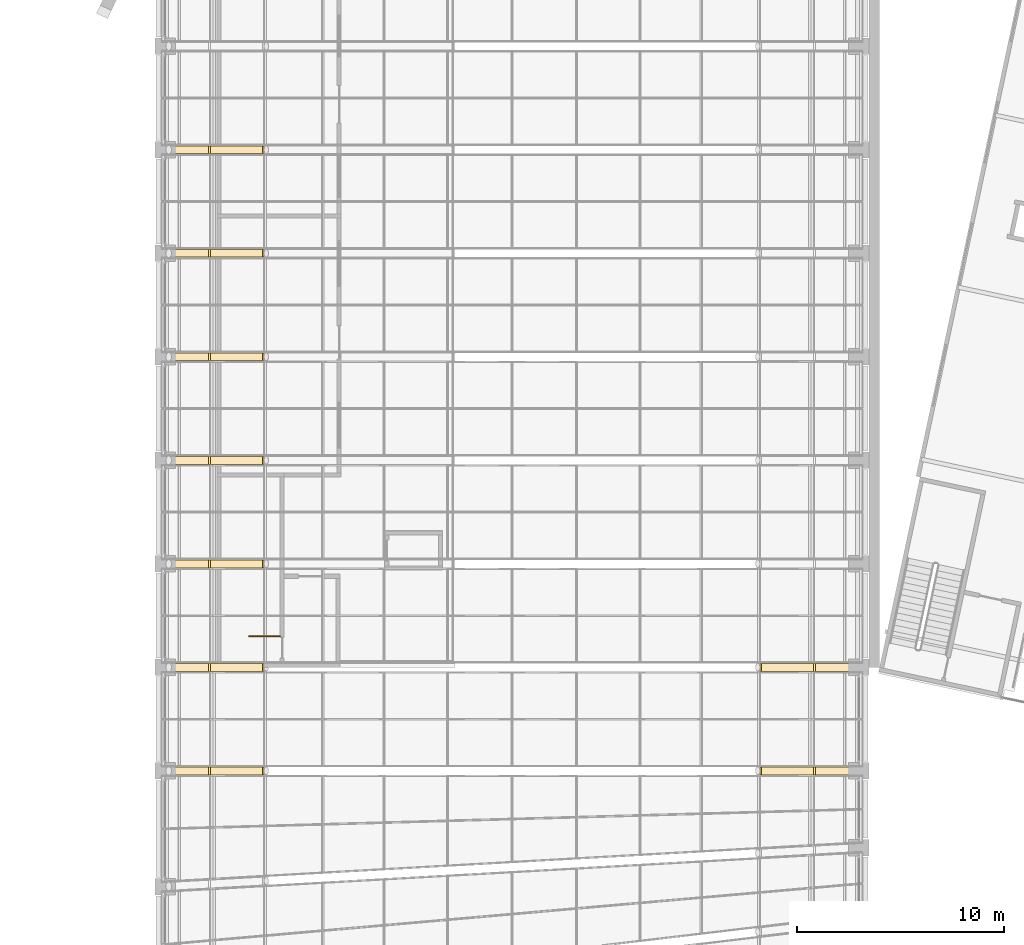
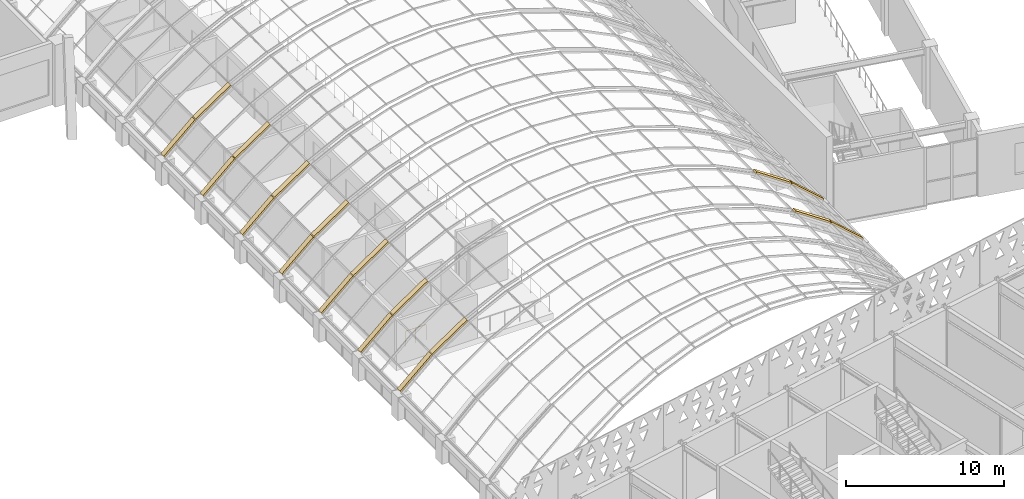
# One storey, part 178 of 182: 18 coverings, 1 railing.
"""IFC4 building model written with IfcOpenShell, lengths in metres."""

from ifc_helpers import new_model, si_unit, direction, frame, origin, origin_2d, place, context, subcontext, project, spatial, polyline, circle, outline, extrude, material, layer, layer_set, type_object, element, save


model = new_model("IFC4")

# Units and contexts
model_context = context("Model", 3, precision=1e-05, world=origin(), true_north=direction((0.0, 1.0)))
body_context = subcontext(model_context, "Body", "Model", "MODEL_VIEW")
ifc_project = project(units=[si_unit("LENGTHUNIT", "METRE"), si_unit("AREAUNIT", "SQUARE_METRE"), si_unit("VOLUMEUNIT", "CUBIC_METRE"), si_unit("PLANEANGLEUNIT", "RADIAN"), si_unit("MASSUNIT", "GRAM", prefix="KILO")], contexts=[model_context])

# Site, building, storey
site_placement = place(None, origin())
site = spatial("IfcSite", under=ifc_project, at=site_placement, CompositionType="ELEMENT")
building_placement = place(site_placement, origin())
building = spatial("IfcBuilding", under=site, at=building_placement, Name="Okhra Congress Centre", CompositionType="ELEMENT")
storey_placement = place(building_placement, frame((0.0, 0.0, 7.199951171875)))
storey = spatial("IfcBuildingStorey", under=building, at=storey_placement, Name="L01", CompositionType="ELEMENT", Elevation=7.199951171875)

# Coverings
ifc_material_1 = material(Name="Extruded aluminium capping, thermally broken", Category="aluminium")
ifc_layer = layer(ifc_material_1, 0.139892578125)
ifc_layer_set = layer_set([ifc_layer], Name="Aluminium rib capping 380")
covering_type = type_object("IfcCoveringType", Name="Aluminium rib capping 380", PredefinedType="CLADDING", material=ifc_layer_set)
covering_1_placement = place(storey_placement, frame((155.2783203125, 90.81005859375, 2.06103515625), z_axis=(-0.663725875965, 0.0, 0.747975909756), x_axis=(0.747975909756, 0.0, 0.663725875965)))
element("IfcCovering", 1, at=covering_1_placement, inside=storey, type_object=covering_type, Name="Rib capping 4.1", PredefinedType="CLADDING", context=body_context, shape_type="SweptSolid", body=[
    extrude(outline(polyline([(0.0, 0.0), (3.0890658975292116, 0.0), (3.0890658975292116, 0.3798828125), (0.0, 0.3798828125), (0.0, 0.0)])), origin(), (0.0, 0.0, -1.0), 0.139892578125),
])
for number, where, z_axis, x_axis, name in (
    (2, (157.63623046875, 90.81005859375, 4.14794921875), (-0.559487786357, 0.0, 0.828838595215), (0.828838595215, 0.0, 0.559487786357), "Rib capping 4.2"),
    (3, (184.303466796875, 90.81005859375, 5.876220703125), (0.559487786357, 0.0, 0.828838595215), (0.828838595215, 0.0, -0.559487786357), "Rib capping 4.11"),
):
    element("IfcCovering", number, at=place(storey_placement, frame(where, z_axis=z_axis, x_axis=x_axis)), inside=storey, type_object=covering_type, Name=name, PredefinedType="CLADDING", context=body_context, shape_type="SweptSolid", body=[
        extrude(outline(polyline([(0.0, 0.0), (3.08902450870042, 0.0), (3.08902450870042, 0.3798828125), (0.0, 0.3798828125), (0.0, 0.0)])), origin(), (0.0, 0.0, -1.0), 0.139892578125),
    ])
for number, where, z_axis, x_axis, name in (
    (4, (186.9111328125, 90.81005859375, 4.111328125), (0.663725875965, 0.0, 0.747975909756), (0.747975909756, 0.0, -0.663725875965), "Rib capping 4.12"),
    (5, (155.2783203125, 95.81005859375, 2.06103515625), (-0.663725875965, 0.0, 0.747975909756), (0.747975909756, 0.0, 0.663725875965), "Rib capping 5.1"),
):
    element("IfcCovering", number, at=place(storey_placement, frame(where, z_axis=z_axis, x_axis=x_axis)), inside=storey, type_object=covering_type, Name=name, PredefinedType="CLADDING", context=body_context, shape_type="SweptSolid", body=[
        extrude(outline(polyline([(0.0, 0.0), (3.0890658975292116, 0.0), (3.0890658975292116, 0.3798828125), (0.0, 0.3798828125), (0.0, 0.0)])), origin(), (0.0, 0.0, -1.0), 0.139892578125),
    ])
for number, where, z_axis, x_axis, name in (
    (6, (157.63623046875, 95.81005859375, 4.14794921875), (-0.559487786357, 0.0, 0.828838595215), (0.828838595215, 0.0, 0.559487786357), "Rib capping 5.2"),
    (7, (184.303466796875, 95.81005859375, 5.876220703125), (0.559487786357, 0.0, 0.828838595215), (0.828838595215, 0.0, -0.559487786357), "Rib capping 5.11"),
):
    element("IfcCovering", number, at=place(storey_placement, frame(where, z_axis=z_axis, x_axis=x_axis)), inside=storey, type_object=covering_type, Name=name, PredefinedType="CLADDING", context=body_context, shape_type="SweptSolid", body=[
        extrude(outline(polyline([(0.0, 0.0), (3.08902450870042, 0.0), (3.08902450870042, 0.3798828125), (0.0, 0.3798828125), (0.0, 0.0)])), origin(), (0.0, 0.0, -1.0), 0.139892578125),
    ])
for number, where, z_axis, x_axis, name in (
    (8, (186.9111328125, 95.81005859375, 4.111328125), (0.663725875965, 0.0, 0.747975909756), (0.747975909756, 0.0, -0.663725875965), "Rib capping 5.12"),
    (9, (155.2783203125, 100.81005859375, 2.06103515625), (-0.663725875965, 0.0, 0.747975909756), (0.747975909756, 0.0, 0.663725875965), "Rib capping 6.1"),
):
    element("IfcCovering", number, at=place(storey_placement, frame(where, z_axis=z_axis, x_axis=x_axis)), inside=storey, type_object=covering_type, Name=name, PredefinedType="CLADDING", context=body_context, shape_type="SweptSolid", body=[
        extrude(outline(polyline([(0.0, 0.0), (3.0890658975292116, 0.0), (3.0890658975292116, 0.3798828125), (0.0, 0.3798828125), (0.0, 0.0)])), origin(), (0.0, 0.0, -1.0), 0.139892578125),
    ])
covering_2_placement = place(storey_placement, frame((157.63623046875, 100.81005859375, 4.14794921875), z_axis=(-0.559487786357, 0.0, 0.828838595215), x_axis=(0.828838595215, 0.0, 0.559487786357)))
element("IfcCovering", 10, at=covering_2_placement, inside=storey, type_object=covering_type, Name="Rib capping 6.2", PredefinedType="CLADDING", context=body_context, shape_type="SweptSolid", body=[
    extrude(outline(polyline([(0.0, 0.0), (3.08902450870042, 0.0), (3.08902450870042, 0.3798828125), (0.0, 0.3798828125), (0.0, 0.0)])), origin(), (0.0, 0.0, -1.0), 0.139892578125),
])
covering_3_placement = place(storey_placement, frame((155.2783203125, 105.81005859375, 2.06103515625), z_axis=(-0.663725875965, 0.0, 0.747975909756), x_axis=(0.747975909756, 0.0, 0.663725875965)))
element("IfcCovering", 11, at=covering_3_placement, inside=storey, type_object=covering_type, Name="Rib capping 7.1", PredefinedType="CLADDING", context=body_context, shape_type="SweptSolid", body=[
    extrude(outline(polyline([(0.0, 0.0), (3.0890658975292116, 0.0), (3.0890658975292116, 0.3798828125), (0.0, 0.3798828125), (0.0, 0.0)])), origin(), (0.0, 0.0, -1.0), 0.139892578125),
])
covering_4_placement = place(storey_placement, frame((157.63623046875, 105.81005859375, 4.14794921875), z_axis=(-0.559487786357, 0.0, 0.828838595215), x_axis=(0.828838595215, 0.0, 0.559487786357)))
element("IfcCovering", 12, at=covering_4_placement, inside=storey, type_object=covering_type, Name="Rib capping 7.2", PredefinedType="CLADDING", context=body_context, shape_type="SweptSolid", body=[
    extrude(outline(polyline([(0.0, 0.0), (3.08902450870042, 0.0), (3.08902450870042, 0.3798828125), (0.0, 0.3798828125), (0.0, 0.0)])), origin(), (0.0, 0.0, -1.0), 0.139892578125),
])
covering_5_placement = place(storey_placement, frame((155.2783203125, 110.81005859375, 2.06103515625), z_axis=(-0.663725875965, 0.0, 0.747975909756), x_axis=(0.747975909756, 0.0, 0.663725875965)))
element("IfcCovering", 13, at=covering_5_placement, inside=storey, type_object=covering_type, Name="Rib capping 8.1", PredefinedType="CLADDING", context=body_context, shape_type="SweptSolid", body=[
    extrude(outline(polyline([(0.0, 0.0), (3.0890658975292116, 0.0), (3.0890658975292116, 0.3798828125), (0.0, 0.3798828125), (0.0, 0.0)])), origin(), (0.0, 0.0, -1.0), 0.139892578125),
])
covering_6_placement = place(storey_placement, frame((157.63623046875, 110.81005859375, 4.14794921875), z_axis=(-0.559487786357, 0.0, 0.828838595215), x_axis=(0.828838595215, 0.0, 0.559487786357)))
element("IfcCovering", 14, at=covering_6_placement, inside=storey, type_object=covering_type, Name="Rib capping 8.2", PredefinedType="CLADDING", context=body_context, shape_type="SweptSolid", body=[
    extrude(outline(polyline([(0.0, 0.0), (3.08902450870042, 0.0), (3.08902450870042, 0.3798828125), (0.0, 0.3798828125), (0.0, 0.0)])), origin(), (0.0, 0.0, -1.0), 0.139892578125),
])
covering_7_placement = place(storey_placement, frame((155.2783203125, 115.81005859375, 2.06103515625), z_axis=(-0.663725875965, 0.0, 0.747975909756), x_axis=(0.747975909756, 0.0, 0.663725875965)))
element("IfcCovering", 15, at=covering_7_placement, inside=storey, type_object=covering_type, Name="Rib capping 9.1", PredefinedType="CLADDING", context=body_context, shape_type="SweptSolid", body=[
    extrude(outline(polyline([(0.0, 0.0), (3.0890658975292116, 0.0), (3.0890658975292116, 0.3798828125), (0.0, 0.3798828125), (0.0, 0.0)])), origin(), (0.0, 0.0, -1.0), 0.139892578125),
])
covering_8_placement = place(storey_placement, frame((157.63623046875, 115.81005859375, 4.14794921875), z_axis=(-0.559487786357, 0.0, 0.828838595215), x_axis=(0.828838595215, 0.0, 0.559487786357)))
element("IfcCovering", 16, at=covering_8_placement, inside=storey, type_object=covering_type, Name="Rib capping 9.2", PredefinedType="CLADDING", context=body_context, shape_type="SweptSolid", body=[
    extrude(outline(polyline([(0.0, 0.0), (3.08902450870042, 0.0), (3.08902450870042, 0.3798828125), (0.0, 0.3798828125), (0.0, 0.0)])), origin(), (0.0, 0.0, -1.0), 0.139892578125),
])
covering_9_placement = place(storey_placement, frame((155.2783203125, 120.81005859375, 2.06103515625), z_axis=(-0.663725875965, 0.0, 0.747975909756), x_axis=(0.747975909756, 0.0, 0.663725875965)))
element("IfcCovering", 17, at=covering_9_placement, inside=storey, type_object=covering_type, Name="Rib capping 10.1", PredefinedType="CLADDING", context=body_context, shape_type="SweptSolid", body=[
    extrude(outline(polyline([(0.0, 0.0), (3.0890658975292116, 0.0), (3.0890658975292116, 0.3798828125), (0.0, 0.3798828125), (0.0, 0.0)])), origin(), (0.0, 0.0, -1.0), 0.139892578125),
])
covering_10_placement = place(storey_placement, frame((157.63623046875, 120.81005859375, 4.14794921875), z_axis=(-0.559487786357, 0.0, 0.828838595215), x_axis=(0.828838595215, 0.0, 0.559487786357)))
element("IfcCovering", 18, at=covering_10_placement, inside=storey, type_object=covering_type, Name="Rib capping 10.2", PredefinedType="CLADDING", context=body_context, shape_type="SweptSolid", body=[
    extrude(outline(polyline([(0.0, 0.0), (3.08902450870042, 0.0), (3.08902450870042, 0.3798828125), (0.0, 0.3798828125), (0.0, 0.0)])), origin(), (0.0, 0.0, -1.0), 0.139892578125),
])

# Railing
ifc_material_2 = material(Name="Painted steel tube guard with vertical steel balusters", Category="steel")
railing_type = type_object("IfcRailingType", Name="Steel stair guard 1200", PredefinedType="GUARDRAIL", material=ifc_material_2)
railing_placement = place(storey_placement, frame((161.050048828125, 97.5, 0.0)))
element("IfcRailing", 19, at=railing_placement, inside=storey, type_object=railing_type, Name="L01 WG1 top well guard 1", PredefinedType="GUARDRAIL", context=body_context, shape_type="SweptSolid", body=[
    extrude(circle(Radius=0.02392578125, at=origin_2d()), frame((0.0, 0.0, 1.17578125), z_axis=(-1.0, 0.0, 0.0), x_axis=(0.0, -1.0, 0.0)), (0.0, 0.0, 1.0), 1.5),
    extrude(circle(Radius=0.02099609375, at=origin_2d()), origin(), (0.0, 0.0, 1.0), 1.15185546875),
    extrude(circle(Radius=0.02099609375, at=origin_2d()), frame((-0.75, 0.0, 0.0)), (0.0, 0.0, 1.0), 1.15185546875),
    extrude(circle(Radius=0.02099609375, at=origin_2d()), frame((-1.5, 0.0, 0.0)), (0.0, 0.0, 1.0), 1.15185546875),
])

save(model, "model.ifc")
